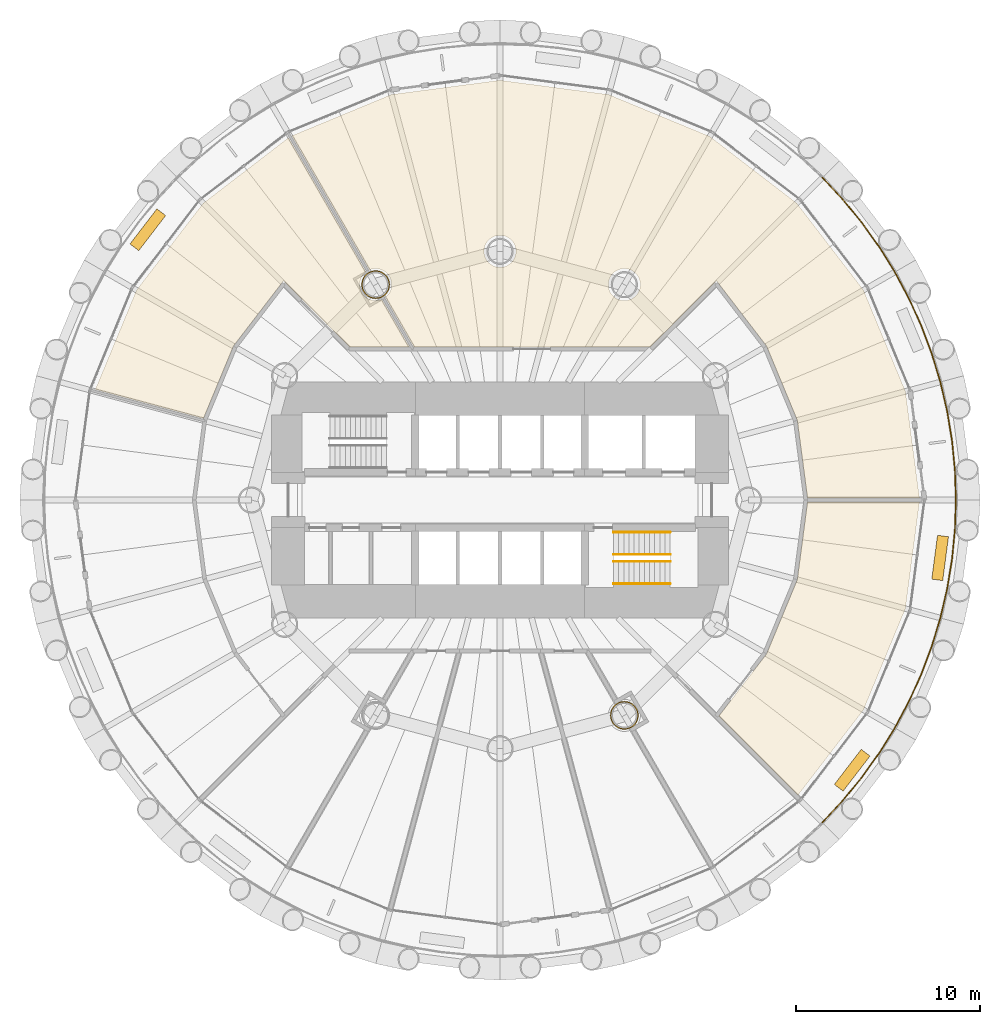
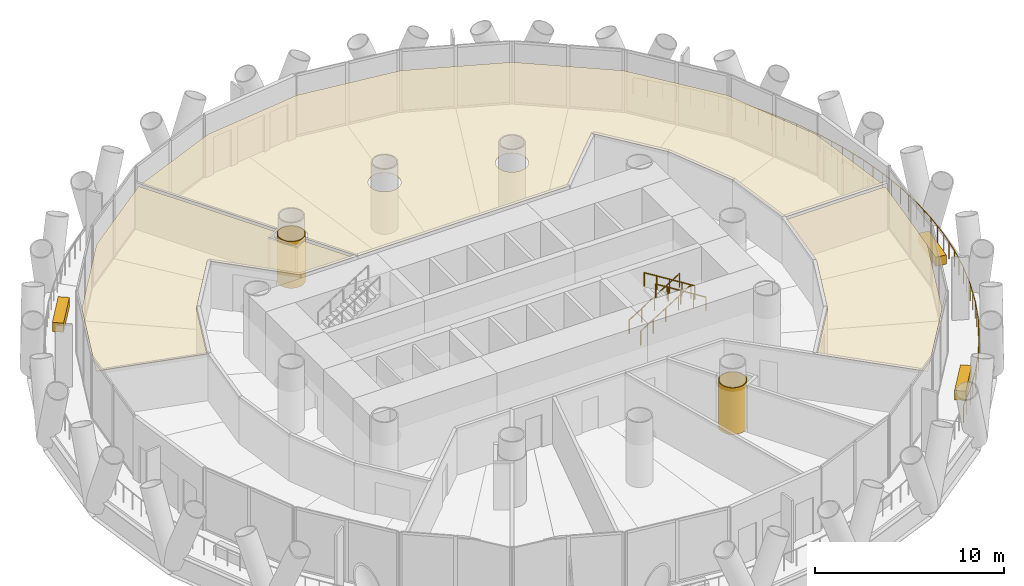
# One storey, part 13 of 14: 8 coverings, 5 railings.
"""IFC4 building model written with IfcOpenShell, lengths in metres."""

from ifc_helpers import new_model, si_unit, direction, frame, origin, origin_2d, place, context, subcontext, project, spatial, polyline, rectangle, circle, outline, extrude, material, layer, layer_set, type_object, element, save


model = new_model("IFC4")

# Units and contexts
model_context = context("Model", 3, precision=1e-05, world=origin(), true_north=direction((0.0, 1.0)))
body_context = subcontext(model_context, "Body", "Model", "MODEL_VIEW")
ifc_project = project(units=[si_unit("LENGTHUNIT", "METRE"), si_unit("AREAUNIT", "SQUARE_METRE"), si_unit("VOLUMEUNIT", "CUBIC_METRE"), si_unit("PLANEANGLEUNIT", "RADIAN"), si_unit("MASSUNIT", "GRAM", prefix="KILO")], contexts=[model_context])

# Site, building, storey
site_placement = place(None, origin())
site = spatial("IfcSite", under=ifc_project, at=site_placement, CompositionType="ELEMENT")
building_placement = place(site_placement, origin())
building = spatial("IfcBuilding", under=site, at=building_placement, Name="Qaws Media Tower", CompositionType="ELEMENT")
storey_placement = place(building_placement, frame((0.0, 0.0, 93.199951171875)))
storey = spatial("IfcBuildingStorey", under=building, at=storey_placement, Name="L20", CompositionType="ELEMENT", Elevation=93.199951171875)

# Covering
ifc_material_1 = material(Name="40 perforated acoustic panels with mineral wool backing, suspended", Category="mineral fibre")
ifc_layer_1 = layer(ifc_material_1, 0.0400390625)
ifc_layer_set_1 = layer_set([ifc_layer_1], Name="Acoustic panel ceiling 40")
covering_type_1 = type_object("IfcCoveringType", Name="Acoustic panel ceiling 40", PredefinedType="CEILING", material=ifc_layer_set_1)
covering_1_placement = place(storey_placement, frame((0.0, 0.0, 2.85009765625)))
element("IfcCovering", 1, at=covering_1_placement, inside=storey, type_object=covering_type_1, Name="CL3 ceiling L20-03 Training room", PredefinedType="CEILING", context=body_context, shape_type="SweptSolid", body=[
    extrude(outline(polyline([(40.267333984375, 61.392578125), (43.888427734375, 66.111572265625), (48.517333984375, 69.66357421875), (52.720703125, 62.383056640625), (52.634033203125, 62.30712890625), (52.55908203125, 62.2216796875), (52.49560546875, 62.126708984375), (52.4453125, 62.024658203125), (52.40869140625, 61.916748046875), (52.386474609375, 61.804931640625), (52.37890625, 61.69140625), (52.386474609375, 61.57763671875), (52.40869140625, 61.4658203125), (52.4453125, 61.35791015625), (52.49560546875, 61.255859375), (52.55908203125, 61.1611328125), (52.634033203125, 61.075439453125), (52.7197265625, 61.000244140625), (52.814453125, 60.93701171875), (52.916748046875, 60.88671875), (53.024658203125, 60.85009765625), (53.13623046875, 60.827880859375), (53.25, 60.8203125), (53.36376953125, 60.827880859375), (53.475341796875, 60.85009765625), (53.58447265625, 60.88720703125), (55.07080078125, 58.3125), (51.8466796875, 58.3125), (48.2509765625, 61.908203125), (45.525634765625, 58.356689453125), (43.8994140625, 54.4306640625), (38.03466796875, 56.002197265625), (40.267333984375, 61.392578125)])), origin(), (0.0, 0.0, 1.0), 0.0400390625),
])

# Railing
ifc_material_2 = material(Name="Stainless steel and glass guard", Category="steel")
railing_type_1 = type_object("IfcRailingType", Name="Balcony guard 1100", PredefinedType="GUARDRAIL", material=ifc_material_2)
railing_placement = place(storey_placement, frame((77.5009765625, 32.4990234375, 0.0)))
element("IfcRailing", 2, at=railing_placement, inside=storey, type_object=railing_type_1, Name="GR1 balcony guard L20-4", PredefinedType="GUARDRAIL", context=body_context, shape_type="SweptSolid", body=[
    extrude(circle(Radius=0.02392578125, at=origin_2d()), frame((0.0, 0.0, 1.076171875), z_axis=(0.683590062432, 0.729866170297, 0.0), x_axis=(-0.729866170297, 0.683590062432, 0.0)), (0.0, 0.0, 1.0), 1.61962890625),
    extrude(circle(Radius=0.02392578125, at=origin_2d()), frame((1.107177734375, 1.18212890625, 1.076171875), z_axis=(0.634353572698, 0.773043042014, 0.0), x_axis=(-0.773043042014, 0.634353572698, 0.0)), (0.0, 0.0, 1.0), 1.61962890625),
    extrude(circle(Radius=0.02392578125, at=origin_2d()), frame((2.134521484375, 2.43408203125, 1.076171875), z_axis=(0.582421013826, 0.812887300094, 0.0), x_axis=(-0.812887300094, 0.582421013826, 0.0)), (0.0, 0.0, 1.0), 1.61962890625),
    extrude(circle(Radius=0.02392578125, at=origin_2d()), frame((3.077880859375, 3.750732421875, 1.076171875), z_axis=(0.528086930449, 0.849190316648, 0.0), x_axis=(-0.849190316648, 0.528086930449, 0.0)), (0.0, 0.0, 1.0), 1.619384765625),
    extrude(circle(Radius=0.02392578125, at=origin_2d()), frame((3.93310546875, 5.1259765625, 1.076171875), z_axis=(0.471346949738, 0.881947874294, 0.0), x_axis=(-0.881947874294, 0.471346949738, 0.0)), (0.0, 0.0, 1.0), 1.61962890625),
    extrude(circle(Radius=0.02392578125, at=origin_2d()), frame((4.696533203125, 6.554443359375, 1.076171875), z_axis=(0.412757736329, 0.910840848393, 0.0), x_axis=(-0.910840848393, 0.412757736329, 0.0)), (0.0, 0.0, 1.0), 1.619384765625),
    extrude(circle(Radius=0.02392578125, at=origin_2d()), frame((5.364990234375, 8.029541015625, 1.076171875), z_axis=(0.352262970537, 0.935901062927, 0.0), x_axis=(-0.935901062927, 0.352262970537, 0.0)), (0.0, 0.0, 1.0), 1.61962890625),
    extrude(circle(Radius=0.02392578125, at=origin_2d()), frame((5.935546875, 9.54541015625, 1.076171875), z_axis=(0.290333716596, 0.956925458438, 0.0), x_axis=(-0.956925458438, 0.290333716596, 0.0)), (0.0, 0.0, 1.0), 1.61962890625),
    extrude(circle(Radius=0.02392578125, at=origin_2d()), frame((6.40576171875, 11.09521484375, 1.076171875), z_axis=(0.227005652619, 0.973893440618, 0.0), x_axis=(-0.973893440618, 0.227005652619, 0.0)), (0.0, 0.0, 1.0), 1.61962890625),
    extrude(circle(Radius=0.02392578125, at=origin_2d()), frame((6.7734375, 12.672607421875, 1.076171875), z_axis=(0.162956538036, 0.986633248331, 0.0), x_axis=(-0.986633248331, 0.162956538036, 0.0)), (0.0, 0.0, 1.0), 1.61962890625),
    extrude(circle(Radius=0.02392578125, at=origin_2d()), frame((7.037353515625, 14.2705078125, 1.076171875), z_axis=(0.097981273566, 0.995188258587, 0.0), x_axis=(-0.995188258587, 0.097981273566, 0.0)), (0.0, 0.0, 1.0), 1.61962890625),
    extrude(circle(Radius=0.02392578125, at=origin_2d()), frame((7.196044921875, 15.88232421875, 1.076171875), z_axis=(0.032712498078, 0.999464803017, 0.0), x_axis=(-0.999464803017, 0.032712498078, 0.0)), (0.0, 0.0, 1.0), 1.61962890625),
    extrude(circle(Radius=0.02392578125, at=origin_2d()), frame((7.2490234375, 17.5009765625, 1.076171875), z_axis=(-0.032712498078, 0.999464803017, 0.0), x_axis=(-0.999464803017, -0.032712498078, 0.0)), (0.0, 0.0, 1.0), 1.61962890625),
    extrude(circle(Radius=0.02392578125, at=origin_2d()), frame((7.196044921875, 19.11962890625, 1.076171875), z_axis=(-0.097981273566, 0.995188258587, 0.0), x_axis=(-0.995188258587, -0.097981273566, 0.0)), (0.0, 0.0, 1.0), 1.61962890625),
    extrude(circle(Radius=0.02392578125, at=origin_2d()), frame((7.037353515625, 20.7314453125, 1.076171875), z_axis=(-0.162956538036, 0.986633248331, 0.0), x_axis=(-0.986633248331, -0.162956538036, 0.0)), (0.0, 0.0, 1.0), 1.61962890625),
    extrude(circle(Radius=0.02392578125, at=origin_2d()), frame((6.7734375, 22.329345703125, 1.076171875), z_axis=(-0.227005652619, 0.973893440618, 0.0), x_axis=(-0.973893440618, -0.227005652619, 0.0)), (0.0, 0.0, 1.0), 1.61962890625),
    extrude(circle(Radius=0.02392578125, at=origin_2d()), frame((6.40576171875, 23.90673828125, 1.076171875), z_axis=(-0.290333716596, 0.956925458438, 0.0), x_axis=(-0.956925458438, -0.290333716596, 0.0)), (0.0, 0.0, 1.0), 1.61962890625),
    extrude(circle(Radius=0.02392578125, at=origin_2d()), frame((5.935546875, 25.45654296875, 1.076171875), z_axis=(-0.352262970537, 0.935901062927, 0.0), x_axis=(-0.935901062927, -0.352262970537, 0.0)), (0.0, 0.0, 1.0), 1.61962890625),
    extrude(circle(Radius=0.02392578125, at=origin_2d()), frame((5.364990234375, 26.972412109375, 1.076171875), z_axis=(-0.412757736329, 0.910840848393, 0.0), x_axis=(-0.910840848393, -0.412757736329, 0.0)), (0.0, 0.0, 1.0), 1.619384765625),
    extrude(circle(Radius=0.02392578125, at=origin_2d()), frame((4.696533203125, 28.447509765625, 1.076171875), z_axis=(-0.471346949738, 0.881947874294, 0.0), x_axis=(-0.881947874294, -0.471346949738, 0.0)), (0.0, 0.0, 1.0), 1.61962890625),
    extrude(circle(Radius=0.02392578125, at=origin_2d()), frame((3.93310546875, 29.8759765625, 1.076171875), z_axis=(-0.528086930449, 0.849190316648, 0.0), x_axis=(-0.849190316648, -0.528086930449, 0.0)), (0.0, 0.0, 1.0), 1.619384765625),
    extrude(circle(Radius=0.02392578125, at=origin_2d()), frame((3.077880859375, 31.251220703125, 1.076171875), z_axis=(-0.582421013826, 0.812887300094, 0.0), x_axis=(-0.812887300094, -0.582421013826, 0.0)), (0.0, 0.0, 1.0), 1.61962890625),
    extrude(circle(Radius=0.02392578125, at=origin_2d()), frame((2.134521484375, 32.56787109375, 1.076171875), z_axis=(-0.634353572698, 0.773043042014, 0.0), x_axis=(-0.773043042014, -0.634353572698, 0.0)), (0.0, 0.0, 1.0), 1.61962890625),
    extrude(circle(Radius=0.02392578125, at=origin_2d()), frame((1.107177734375, 33.81982421875, 1.076171875), z_axis=(-0.683590062432, 0.729866170297, 0.0), x_axis=(-0.729866170297, -0.683590062432, 0.0)), (0.0, 0.0, 1.0), 1.61962890625),
    extrude(circle(Radius=0.02099609375, at=origin_2d()), origin(), (0.0, 0.0, 1.0), 1.052001953125),
    extrude(circle(Radius=0.02099609375, at=origin_2d()), frame((0.5537109375, 0.591064453125, 0.0)), (0.0, 0.0, 1.0), 1.052001953125),
    extrude(circle(Radius=0.02099609375, at=origin_2d()), frame((1.107177734375, 1.18212890625, 0.0)), (0.0, 0.0, 1.0), 1.052001953125),
    extrude(circle(Radius=0.02099609375, at=origin_2d()), frame((1.620849609375, 1.80810546875, 0.0)), (0.0, 0.0, 1.0), 1.052001953125),
    extrude(circle(Radius=0.02099609375, at=origin_2d()), frame((2.134521484375, 2.43408203125, 0.0)), (0.0, 0.0, 1.0), 1.052001953125),
    extrude(circle(Radius=0.02099609375, at=origin_2d()), frame((2.606201171875, 3.09228515625, 0.0)), (0.0, 0.0, 1.0), 1.052001953125),
    extrude(circle(Radius=0.02099609375, at=origin_2d()), frame((3.077880859375, 3.750732421875, 0.0)), (0.0, 0.0, 1.0), 1.052001953125),
    extrude(circle(Radius=0.02099609375, at=origin_2d()), frame((3.50537109375, 4.4384765625, 0.0)), (0.0, 0.0, 1.0), 1.052001953125),
    extrude(circle(Radius=0.02099609375, at=origin_2d()), frame((3.93310546875, 5.1259765625, 0.0)), (0.0, 0.0, 1.0), 1.052001953125),
    extrude(circle(Radius=0.02099609375, at=origin_2d()), frame((4.31494140625, 5.84033203125, 0.0)), (0.0, 0.0, 1.0), 1.052001953125),
    extrude(circle(Radius=0.02099609375, at=origin_2d()), frame((4.696533203125, 6.554443359375, 0.0)), (0.0, 0.0, 1.0), 1.052001953125),
    extrude(circle(Radius=0.02099609375, at=origin_2d()), frame((5.03076171875, 7.2919921875, 0.0)), (0.0, 0.0, 1.0), 1.052001953125),
    extrude(circle(Radius=0.02099609375, at=origin_2d()), frame((5.364990234375, 8.029541015625, 0.0)), (0.0, 0.0, 1.0), 1.052001953125),
    extrude(circle(Radius=0.02099609375, at=origin_2d()), frame((5.650390625, 8.78759765625, 0.0)), (0.0, 0.0, 1.0), 1.052001953125),
    extrude(circle(Radius=0.02099609375, at=origin_2d()), frame((5.935546875, 9.54541015625, 0.0)), (0.0, 0.0, 1.0), 1.052001953125),
    extrude(circle(Radius=0.02099609375, at=origin_2d()), frame((6.170654296875, 10.3203125, 0.0)), (0.0, 0.0, 1.0), 1.052001953125),
    extrude(circle(Radius=0.02099609375, at=origin_2d()), frame((6.40576171875, 11.09521484375, 0.0)), (0.0, 0.0, 1.0), 1.052001953125),
    extrude(circle(Radius=0.02099609375, at=origin_2d()), frame((6.589599609375, 11.8837890625, 0.0)), (0.0, 0.0, 1.0), 1.052001953125),
    extrude(circle(Radius=0.02099609375, at=origin_2d()), frame((6.7734375, 12.672607421875, 0.0)), (0.0, 0.0, 1.0), 1.052001953125),
    extrude(circle(Radius=0.02099609375, at=origin_2d()), frame((6.9052734375, 13.4716796875, 0.0)), (0.0, 0.0, 1.0), 1.052001953125),
    extrude(circle(Radius=0.02099609375, at=origin_2d()), frame((7.037353515625, 14.2705078125, 0.0)), (0.0, 0.0, 1.0), 1.052001953125),
    extrude(circle(Radius=0.02099609375, at=origin_2d()), frame((7.11669921875, 15.076416015625, 0.0)), (0.0, 0.0, 1.0), 1.052001953125),
    extrude(circle(Radius=0.02099609375, at=origin_2d()), frame((7.196044921875, 15.88232421875, 0.0)), (0.0, 0.0, 1.0), 1.052001953125),
    extrude(circle(Radius=0.02099609375, at=origin_2d()), frame((7.22265625, 16.691650390625, 0.0)), (0.0, 0.0, 1.0), 1.052001953125),
    extrude(circle(Radius=0.02099609375, at=origin_2d()), frame((7.2490234375, 17.5009765625, 0.0)), (0.0, 0.0, 1.0), 1.052001953125),
    extrude(circle(Radius=0.02099609375, at=origin_2d()), frame((7.22265625, 18.310302734375, 0.0)), (0.0, 0.0, 1.0), 1.052001953125),
    extrude(circle(Radius=0.02099609375, at=origin_2d()), frame((7.196044921875, 19.11962890625, 0.0)), (0.0, 0.0, 1.0), 1.052001953125),
    extrude(circle(Radius=0.02099609375, at=origin_2d()), frame((7.11669921875, 19.925537109375, 0.0)), (0.0, 0.0, 1.0), 1.052001953125),
    extrude(circle(Radius=0.02099609375, at=origin_2d()), frame((7.037353515625, 20.7314453125, 0.0)), (0.0, 0.0, 1.0), 1.052001953125),
    extrude(circle(Radius=0.02099609375, at=origin_2d()), frame((6.9052734375, 21.5302734375, 0.0)), (0.0, 0.0, 1.0), 1.052001953125),
    extrude(circle(Radius=0.02099609375, at=origin_2d()), frame((6.7734375, 22.329345703125, 0.0)), (0.0, 0.0, 1.0), 1.052001953125),
    extrude(circle(Radius=0.02099609375, at=origin_2d()), frame((6.589599609375, 23.1181640625, 0.0)), (0.0, 0.0, 1.0), 1.052001953125),
    extrude(circle(Radius=0.02099609375, at=origin_2d()), frame((6.40576171875, 23.90673828125, 0.0)), (0.0, 0.0, 1.0), 1.052001953125),
    extrude(circle(Radius=0.02099609375, at=origin_2d()), frame((6.170654296875, 24.681640625, 0.0)), (0.0, 0.0, 1.0), 1.052001953125),
    extrude(circle(Radius=0.02099609375, at=origin_2d()), frame((5.935546875, 25.45654296875, 0.0)), (0.0, 0.0, 1.0), 1.052001953125),
    extrude(circle(Radius=0.02099609375, at=origin_2d()), frame((5.650390625, 26.21435546875, 0.0)), (0.0, 0.0, 1.0), 1.052001953125),
    extrude(circle(Radius=0.02099609375, at=origin_2d()), frame((5.364990234375, 26.972412109375, 0.0)), (0.0, 0.0, 1.0), 1.052001953125),
    extrude(circle(Radius=0.02099609375, at=origin_2d()), frame((5.03076171875, 27.7099609375, 0.0)), (0.0, 0.0, 1.0), 1.052001953125),
    extrude(circle(Radius=0.02099609375, at=origin_2d()), frame((4.696533203125, 28.447509765625, 0.0)), (0.0, 0.0, 1.0), 1.052001953125),
    extrude(circle(Radius=0.02099609375, at=origin_2d()), frame((4.31494140625, 29.16162109375, 0.0)), (0.0, 0.0, 1.0), 1.052001953125),
    extrude(circle(Radius=0.02099609375, at=origin_2d()), frame((3.93310546875, 29.8759765625, 0.0)), (0.0, 0.0, 1.0), 1.052001953125),
    extrude(circle(Radius=0.02099609375, at=origin_2d()), frame((3.50537109375, 30.5634765625, 0.0)), (0.0, 0.0, 1.0), 1.052001953125),
    extrude(circle(Radius=0.02099609375, at=origin_2d()), frame((3.077880859375, 31.251220703125, 0.0)), (0.0, 0.0, 1.0), 1.052001953125),
    extrude(circle(Radius=0.02099609375, at=origin_2d()), frame((2.606201171875, 31.90966796875, 0.0)), (0.0, 0.0, 1.0), 1.052001953125),
    extrude(circle(Radius=0.02099609375, at=origin_2d()), frame((2.134521484375, 32.56787109375, 0.0)), (0.0, 0.0, 1.0), 1.052001953125),
    extrude(circle(Radius=0.02099609375, at=origin_2d()), frame((1.620849609375, 33.19384765625, 0.0)), (0.0, 0.0, 1.0), 1.052001953125),
    extrude(circle(Radius=0.02099609375, at=origin_2d()), frame((1.107177734375, 33.81982421875, 0.0)), (0.0, 0.0, 1.0), 1.052001953125),
    extrude(circle(Radius=0.02099609375, at=origin_2d()), frame((0.5537109375, 34.410888671875, 0.0)), (0.0, 0.0, 1.0), 1.052001953125),
    extrude(circle(Radius=0.02099609375, at=origin_2d()), frame((0.0, 35.001953125, 0.0)), (0.0, 0.0, 1.0), 1.052001953125),
])

# Coverings
ifc_material_3 = material(Name="Two layers 15 fire-rated gypsum board on steel framing", Category="steel")
ifc_layer_2 = layer(ifc_material_3, 0.050048828125)
ifc_layer_set_2 = layer_set([ifc_layer_2], Name="Column fire casing")
covering_type_2 = type_object("IfcCoveringType", Name="Column fire casing", PredefinedType="CLADDING", material=ifc_layer_set_2)
covering_2_placement = place(storey_placement, origin())
element("IfcCovering", 3, at=covering_2_placement, inside=storey, type_object=covering_type_2, Name="CC1 column casing L20", PredefinedType="CLADDING", context=body_context, shape_type="SweptSolid", body=[
    extrude(outline(polyline([(54.01611328125, 61.69140625), (54.009521484375, 61.59130859375), (53.989990234375, 61.4931640625), (53.957763671875, 61.398193359375), (53.913330078125, 61.308349609375), (53.857666015625, 61.22509765625), (53.79150390625, 61.149658203125), (53.71630859375, 61.08349609375), (53.633056640625, 61.028076171875), (53.543212890625, 60.983642578125), (53.4482421875, 60.951416015625), (53.35009765625, 60.931884765625), (53.25, 60.92529296875), (53.14990234375, 60.931884765625), (53.0517578125, 60.951416015625), (52.956787109375, 60.983642578125), (52.866943359375, 61.028076171875), (52.78369140625, 61.08349609375), (52.70849609375, 61.149658203125), (52.642333984375, 61.22509765625), (52.586669921875, 61.308349609375), (52.542236328125, 61.398193359375), (52.510009765625, 61.4931640625), (52.490478515625, 61.59130859375), (52.48388671875, 61.69140625), (52.490478515625, 61.791259765625), (52.510009765625, 61.8896484375), (52.542236328125, 61.984619140625), (52.586669921875, 62.07421875), (52.642333984375, 62.15771484375), (52.70849609375, 62.23291015625), (52.78369140625, 62.299072265625), (52.866943359375, 62.354736328125), (52.956787109375, 62.39892578125), (53.0517578125, 62.43115234375), (53.14990234375, 62.45068359375), (53.25, 62.457275390625), (53.35009765625, 62.45068359375), (53.4482421875, 62.43115234375), (53.543212890625, 62.39892578125), (53.633056640625, 62.354736328125), (53.71630859375, 62.299072265625), (53.79150390625, 62.23291015625), (53.857666015625, 62.15771484375), (53.913330078125, 62.07421875), (53.957763671875, 61.984619140625), (53.989990234375, 61.8896484375), (54.009521484375, 61.791259765625), (54.01611328125, 61.69140625)]), holes=[polyline([(53.964111328125, 61.69140625), (53.9580078125, 61.59814453125), (53.939697265625, 61.506591796875), (53.90966796875, 61.418212890625), (53.868408203125, 61.334228515625), (53.81640625, 61.256591796875), (53.7548828125, 61.1865234375), (53.684814453125, 61.125), (53.60693359375, 61.072998046875), (53.523193359375, 61.03173828125), (53.434814453125, 61.001708984375), (53.34326171875, 60.9833984375), (53.25, 60.977294921875), (53.15673828125, 60.9833984375), (53.065185546875, 61.001708984375), (52.976806640625, 61.03173828125), (52.89306640625, 61.072998046875), (52.815185546875, 61.125), (52.7451171875, 61.1865234375), (52.68359375, 61.256591796875), (52.631591796875, 61.334228515625), (52.59033203125, 61.418212890625), (52.560302734375, 61.506591796875), (52.5419921875, 61.59814453125), (52.535888671875, 61.69140625), (52.5419921875, 61.784423828125), (52.560302734375, 61.876220703125), (52.59033203125, 61.964599609375), (52.631591796875, 62.04833984375), (52.68359375, 62.1259765625), (52.7451171875, 62.1962890625), (52.815185546875, 62.2578125), (52.89306640625, 62.309814453125), (52.976806640625, 62.35107421875), (53.065185546875, 62.381103515625), (53.15673828125, 62.399169921875), (53.25, 62.4052734375), (53.34326171875, 62.399169921875), (53.434814453125, 62.381103515625), (53.523193359375, 62.35107421875), (53.60693359375, 62.309814453125), (53.684814453125, 62.2578125), (53.7548828125, 62.1962890625), (53.81640625, 62.1259765625), (53.868408203125, 62.04833984375), (53.90966796875, 61.964599609375), (53.939697265625, 61.876220703125), (53.9580078125, 61.784423828125), (53.964111328125, 61.69140625)])]), origin(), (0.0, 0.0, 1.0), 3.02001953125),
])
covering_3_placement = place(storey_placement, origin())
element("IfcCovering", 4, at=covering_3_placement, inside=storey, type_object=covering_type_2, Name="CC1 column casing L20", PredefinedType="CLADDING", context=body_context, shape_type="SweptSolid", body=[
    extrude(outline(polyline([(67.51611328125, 38.30859375), (67.509521484375, 38.208740234375), (67.489990234375, 38.1103515625), (67.457763671875, 38.015380859375), (67.413330078125, 37.92578125), (67.357666015625, 37.84228515625), (67.29150390625, 37.76708984375), (67.21630859375, 37.700927734375), (67.133056640625, 37.645263671875), (67.043212890625, 37.60107421875), (66.9482421875, 37.56884765625), (66.85009765625, 37.54931640625), (66.75, 37.542724609375), (66.64990234375, 37.54931640625), (66.5517578125, 37.56884765625), (66.456787109375, 37.60107421875), (66.366943359375, 37.645263671875), (66.28369140625, 37.700927734375), (66.20849609375, 37.76708984375), (66.142333984375, 37.84228515625), (66.086669921875, 37.92578125), (66.042236328125, 38.015380859375), (66.010009765625, 38.1103515625), (65.990478515625, 38.208740234375), (65.98388671875, 38.30859375), (65.990478515625, 38.40869140625), (66.010009765625, 38.5068359375), (66.042236328125, 38.601806640625), (66.086669921875, 38.691650390625), (66.142333984375, 38.77490234375), (66.20849609375, 38.850341796875), (66.28369140625, 38.91650390625), (66.366943359375, 38.971923828125), (66.456787109375, 39.016357421875), (66.5517578125, 39.048583984375), (66.64990234375, 39.068115234375), (66.75, 39.07470703125), (66.85009765625, 39.068115234375), (66.9482421875, 39.048583984375), (67.043212890625, 39.016357421875), (67.133056640625, 38.971923828125), (67.21630859375, 38.91650390625), (67.29150390625, 38.850341796875), (67.357666015625, 38.77490234375), (67.413330078125, 38.691650390625), (67.457763671875, 38.601806640625), (67.489990234375, 38.5068359375), (67.509521484375, 38.40869140625), (67.51611328125, 38.30859375)]), holes=[polyline([(67.464111328125, 38.30859375), (67.4580078125, 38.215576171875), (67.439697265625, 38.123779296875), (67.40966796875, 38.035400390625), (67.368408203125, 37.95166015625), (67.31640625, 37.8740234375), (67.2548828125, 37.8037109375), (67.184814453125, 37.7421875), (67.10693359375, 37.690185546875), (67.023193359375, 37.64892578125), (66.934814453125, 37.618896484375), (66.84326171875, 37.600830078125), (66.75, 37.5947265625), (66.65673828125, 37.600830078125), (66.565185546875, 37.618896484375), (66.476806640625, 37.64892578125), (66.39306640625, 37.690185546875), (66.315185546875, 37.7421875), (66.2451171875, 37.8037109375), (66.18359375, 37.8740234375), (66.131591796875, 37.95166015625), (66.09033203125, 38.035400390625), (66.060302734375, 38.123779296875), (66.0419921875, 38.215576171875), (66.035888671875, 38.30859375), (66.0419921875, 38.40185546875), (66.060302734375, 38.493408203125), (66.09033203125, 38.581787109375), (66.131591796875, 38.665771484375), (66.18359375, 38.743408203125), (66.2451171875, 38.8134765625), (66.315185546875, 38.875), (66.39306640625, 38.927001953125), (66.476806640625, 38.96826171875), (66.565185546875, 38.998291015625), (66.65673828125, 39.0166015625), (66.75, 39.022705078125), (66.84326171875, 39.0166015625), (66.934814453125, 38.998291015625), (67.023193359375, 38.96826171875), (67.10693359375, 38.927001953125), (67.184814453125, 38.875), (67.2548828125, 38.8134765625), (67.31640625, 38.743408203125), (67.368408203125, 38.665771484375), (67.40966796875, 38.581787109375), (67.439697265625, 38.493408203125), (67.4580078125, 38.40185546875), (67.464111328125, 38.30859375)])]), origin(), (0.0, 0.0, 1.0), 3.02001953125),
])
ifc_material_4 = material(Name="600 x 600 mineral fibre tiles in exposed grid, suspended", Category="mineral fibre")
ifc_layer_3 = layer(ifc_material_4, 0.02001953125)
ifc_layer_set_3 = layer_set([ifc_layer_3], Name="Mineral fibre tile ceiling 20")
covering_type_3 = type_object("IfcCoveringType", Name="Mineral fibre tile ceiling 20", PredefinedType="CEILING", material=ifc_layer_set_3)
covering_4_placement = place(storey_placement, frame((0.0, 0.0, 2.85009765625)))
element("IfcCovering", 5, at=covering_4_placement, inside=storey, type_object=covering_type_3, Name="CL1 ceiling L20-02 Broadcast engineering office", PredefinedType="CEILING", context=body_context, shape_type="SweptSolid", body=[
    extrude(outline(polyline([(54.102783203125, 72.0087890625), (60.0, 72.78515625), (65.897216796875, 72.0087890625), (71.392578125, 69.732666015625), (76.111572265625, 66.111572265625), (79.732666015625, 61.392578125), (82.0087890625, 55.897216796875), (82.7705078125, 50.112548828125), (76.69873046875, 50.112548828125), (76.14404296875, 54.32568359375), (74.474365234375, 58.356689453125), (71.7490234375, 61.908203125), (68.1533203125, 58.3125), (55.330810546875, 58.3125), (53.779296875, 60.999755859375), (53.865966796875, 61.075439453125), (53.94091796875, 61.1611328125), (54.00439453125, 61.255859375), (54.0546875, 61.35791015625), (54.09130859375, 61.4658203125), (54.113525390625, 61.57763671875), (54.12109375, 61.69140625), (54.113525390625, 61.804931640625), (54.09130859375, 61.916748046875), (54.0546875, 62.024658203125), (54.00439453125, 62.126708984375), (53.94091796875, 62.2216796875), (53.865966796875, 62.30712890625), (53.7802734375, 62.38232421875), (53.685546875, 62.44580078125), (53.583251953125, 62.49609375), (53.475341796875, 62.53271484375), (53.36376953125, 62.554931640625), (53.25, 62.562255859375), (53.13623046875, 62.554931640625), (53.024658203125, 62.53271484375), (52.91552734375, 62.49560546875), (48.712158203125, 69.77587890625), (54.102783203125, 72.0087890625)]), holes=[polyline([(60.8046875, 63.166748046875), (60.84130859375, 63.274658203125), (60.863525390625, 63.38623046875), (60.87109375, 63.5), (60.863525390625, 63.61376953125), (60.84130859375, 63.725341796875), (60.8046875, 63.833251953125), (60.75439453125, 63.935546875), (60.69091796875, 64.0302734375), (60.615966796875, 64.115966796875), (60.5302734375, 64.19091796875), (60.435546875, 64.25439453125), (60.333251953125, 64.3046875), (60.225341796875, 64.34130859375), (60.11376953125, 64.363525390625), (60.0, 64.37109375), (59.88623046875, 64.363525390625), (59.774658203125, 64.34130859375), (59.666748046875, 64.3046875), (59.564453125, 64.25439453125), (59.4697265625, 64.19091796875), (59.384033203125, 64.115966796875), (59.30908203125, 64.0302734375), (59.24560546875, 63.935546875), (59.1953125, 63.833251953125), (59.15869140625, 63.725341796875), (59.136474609375, 63.61376953125), (59.12890625, 63.5), (59.136474609375, 63.38623046875), (59.15869140625, 63.274658203125), (59.1953125, 63.166748046875), (59.24560546875, 63.064453125), (59.30908203125, 62.9697265625), (59.384033203125, 62.884033203125), (59.4697265625, 62.80908203125), (59.564453125, 62.74560546875), (59.666748046875, 62.6953125), (59.774658203125, 62.65869140625), (59.88623046875, 62.636474609375), (60.0, 62.62890625), (60.11376953125, 62.636474609375), (60.225341796875, 62.65869140625), (60.333251953125, 62.6953125), (60.435546875, 62.74560546875), (60.5302734375, 62.80908203125), (60.615966796875, 62.884033203125), (60.69091796875, 62.9697265625), (60.75439453125, 63.064453125), (60.8046875, 63.166748046875)]), polyline([(67.5546875, 61.35791015625), (67.59130859375, 61.4658203125), (67.613525390625, 61.57763671875), (67.62109375, 61.69140625), (67.613525390625, 61.804931640625), (67.59130859375, 61.916748046875), (67.5546875, 62.024658203125), (67.50439453125, 62.126708984375), (67.44091796875, 62.2216796875), (67.365966796875, 62.30712890625), (67.2802734375, 62.38232421875), (67.185546875, 62.44580078125), (67.083251953125, 62.49609375), (66.975341796875, 62.53271484375), (66.86376953125, 62.554931640625), (66.75, 62.562255859375), (66.63623046875, 62.554931640625), (66.524658203125, 62.53271484375), (66.416748046875, 62.49609375), (66.314453125, 62.44580078125), (66.2197265625, 62.38232421875), (66.134033203125, 62.30712890625), (66.05908203125, 62.2216796875), (65.99560546875, 62.126708984375), (65.9453125, 62.024658203125), (65.90869140625, 61.916748046875), (65.886474609375, 61.804931640625), (65.87890625, 61.69140625), (65.886474609375, 61.57763671875), (65.90869140625, 61.4658203125), (65.9453125, 61.35791015625), (65.99560546875, 61.255859375), (66.05908203125, 61.1611328125), (66.134033203125, 61.075439453125), (66.2197265625, 61.000244140625), (66.314453125, 60.93701171875), (66.416748046875, 60.88671875), (66.524658203125, 60.85009765625), (66.63623046875, 60.827880859375), (66.75, 60.8203125), (66.86376953125, 60.827880859375), (66.975341796875, 60.85009765625), (67.083251953125, 60.88671875), (67.185546875, 60.93701171875), (67.2802734375, 61.000244140625), (67.365966796875, 61.075439453125), (67.44091796875, 61.1611328125), (67.50439453125, 61.255859375), (67.5546875, 61.35791015625)])]), origin(), (0.0, 0.0, 1.0), 0.02001953125),
])
covering_5_placement = place(storey_placement, frame((0.0, 0.0, 2.85009765625)))
element("IfcCovering", 6, at=covering_5_placement, inside=storey, type_object=covering_type_3, Name="CL1 ceiling L20-10 Broadcast engineering office", PredefinedType="CEILING", context=body_context, shape_type="SweptSolid", body=[
    extrude(outline(polyline([(82.0087890625, 44.102783203125), (79.732666015625, 38.607421875), (76.1806640625, 33.978515625), (71.88720703125, 38.271728515625), (74.474365234375, 41.643310546875), (76.14404296875, 45.67431640625), (76.69873046875, 49.887451171875), (82.7705078125, 49.887451171875), (82.0087890625, 44.102783203125)])), origin(), (0.0, 0.0, 1.0), 0.02001953125),
])
ifc_material_5 = material(Name="Precast concrete planter with trailing planting", Category="concrete")
ifc_layer_4 = layer(ifc_material_5, 0.60009765625)
ifc_layer_set_4 = layer_set([ifc_layer_4], Name="Planter 2400x600")
covering_type_4 = type_object("IfcCoveringType", Name="Planter 2400x600", PredefinedType="USERDEFINED", material=ifc_layer_set_4)
for number, where, z_axis, x_axis, name in (
    (7, (40.880126953125, 64.671142578125, 0.0), (0.0, 0.0, 1.0), (-0.608761429009, -0.793353340291, 0.0), "PL1 balcony planter L20-05"),
    (8, (79.119873046875, 35.328857421875, 0.0), (0.0, 0.0, 1.0), (0.608761429009, 0.793353340291, 0.0), "PL1 balcony planter L20-11"),
    (9, (83.893798828125, 46.854248046875, 0.0), (0.0, 0.0, 1.0), (0.13052619222, 0.991444861374, 0.0), "PL1 balcony planter L20-12"),
):
    element("IfcCovering", number, at=place(storey_placement, frame(where, z_axis=z_axis, x_axis=x_axis)), inside=storey, type_object=covering_type_4, Name=name, ObjectType="PLANTER", PredefinedType="USERDEFINED", context=body_context, shape_type="SweptSolid", body=[
        extrude(rectangle(XDim=2.39990234375, YDim=0.60009765625, at=origin_2d()), origin(), (0.0, 0.0, 1.0), 0.60009765625),
    ])

# Railings
ifc_material_6 = material(Name="Steel tube handrail", Category="steel")
railing_type_2 = type_object("IfcRailingType", Name="Stair handrail 900", PredefinedType="HANDRAIL", material=ifc_material_6)
for number, where, name in (
    (10, (66.159912109375, 48.25, 0.175048828125), "HR1 handrail S2 flight 1 L20"),
    (11, (66.159912109375, 47.0400390625, 0.175048828125), "HR1 handrail S2 flight 1 L20"),
):
    element("IfcRailing", number, at=place(storey_placement, frame(where)), inside=storey, type_object=railing_type_2, Name=name, PredefinedType="HANDRAIL", context=body_context, shape_type="SweptSolid", body=[
        extrude(circle(Radius=0.02392578125, at=origin_2d()), frame((0.0, 0.0, 0.8759765625), z_axis=(0.847998304005, 0.0, 0.529998940003), x_axis=(0.0, 1.0, 0.0)), (0.0, 0.0, 1.0), 3.632080078125),
        extrude(circle(Radius=0.02099609375, at=origin_2d()), origin(), (0.0, 0.0, 1.0), 0.851806640625),
        extrude(circle(Radius=0.02099609375, at=origin_2d()), frame((0.77001953125, 0.0, 0.481201171875)), (0.0, 0.0, 1.0), 0.851806640625),
        extrude(circle(Radius=0.02099609375, at=origin_2d()), frame((1.5400390625, 0.0, 0.96240234375)), (0.0, 0.0, 1.0), 0.851806640625),
        extrude(circle(Radius=0.02099609375, at=origin_2d()), frame((2.31005859375, 0.0, 1.44384765625)), (0.0, 0.0, 1.0), 0.851806640625),
        extrude(circle(Radius=0.02099609375, at=origin_2d()), frame((3.080078125, 0.0, 1.925048828125)), (0.0, 0.0, 1.0), 0.851806640625),
    ])
for number, where, name in (
    (12, (69.239990234375, 45.449951171875, 2.275146484375), "HR1 handrail S2 flight 2 L20"),
    (13, (69.239990234375, 46.659912109375, 2.275146484375), "HR1 handrail S2 flight 2 L20"),
):
    element("IfcRailing", number, at=place(storey_placement, frame(where)), inside=storey, type_object=railing_type_2, Name=name, PredefinedType="HANDRAIL", context=body_context, shape_type="SweptSolid", body=[
        extrude(circle(Radius=0.02392578125, at=origin_2d()), frame((0.0, 0.0, 0.8759765625), z_axis=(-0.848028513186, 0.0, 0.529950602248), x_axis=(0.0, -1.0, 0.0)), (0.0, 0.0, 1.0), 3.632080078125),
        extrude(circle(Radius=0.02099609375, at=origin_2d()), origin(), (0.0, 0.0, 1.0), 0.851806640625),
        extrude(circle(Radius=0.02099609375, at=origin_2d()), frame((-0.77001953125, 0.0, 0.481201171875)), (0.0, 0.0, 1.0), 0.851806640625),
        extrude(circle(Radius=0.02099609375, at=origin_2d()), frame((-1.5400390625, 0.0, 0.96240234375)), (0.0, 0.0, 1.0), 0.851806640625),
        extrude(circle(Radius=0.02099609375, at=origin_2d()), frame((-2.31005859375, 0.0, 1.443603515625)), (0.0, 0.0, 1.0), 0.851806640625),
        extrude(circle(Radius=0.02099609375, at=origin_2d()), frame((-3.080078125, 0.0, 1.9248046875)), (0.0, 0.0, 1.0), 0.851806640625),
    ])

save(model, "model.ifc")
